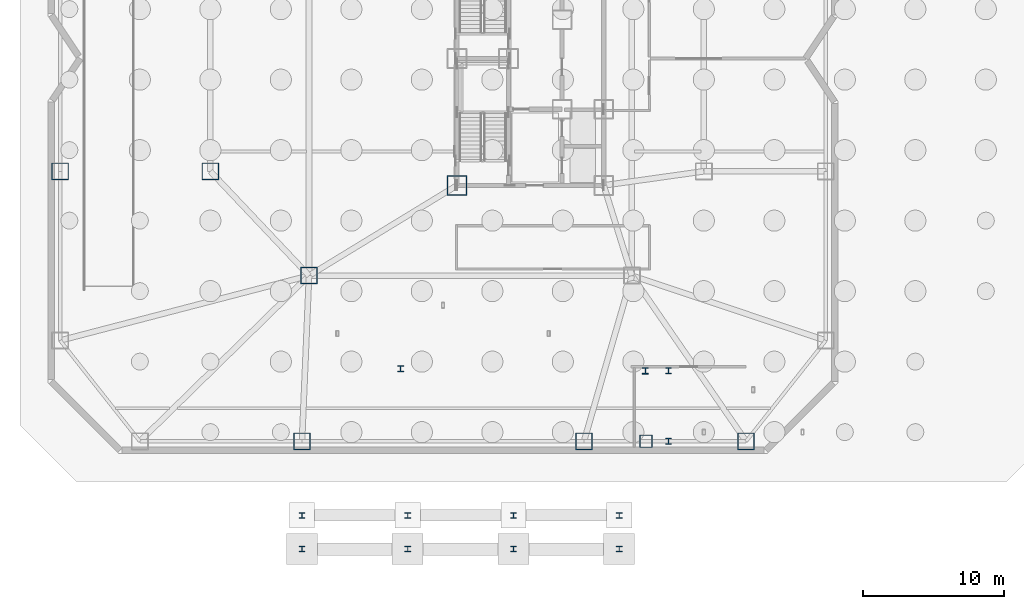
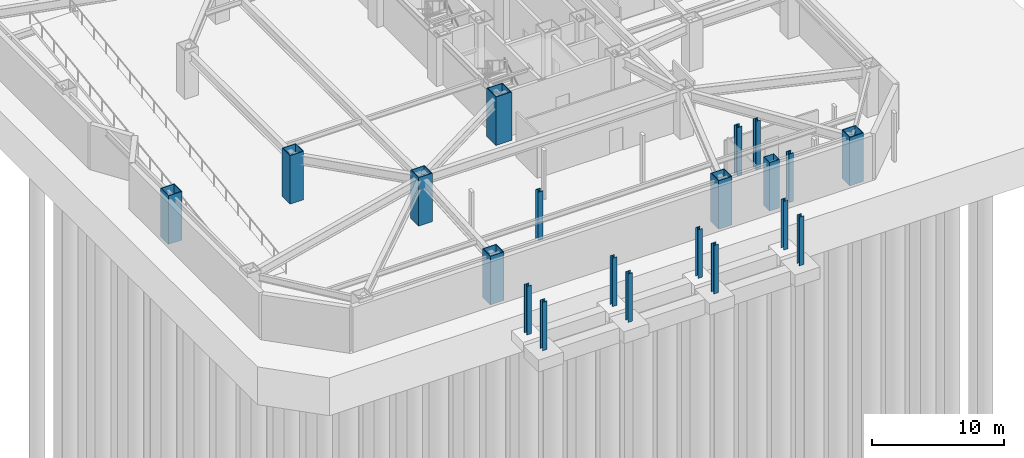
# One storey, part 2 of 15: 20 columns.
"""IFC4 building model written with IfcOpenShell, lengths in metres."""

from ifc_helpers import new_model, si_unit, direction, frame, origin, origin_2d, place, context, subcontext, project, spatial, hollow_rectangle, i_section, extrude, material, material_profile, profile_set, type_object, element, save


model = new_model("IFC4")

# Units and contexts
model_context = context("Model", 3, precision=1e-05, world=origin(), true_north=direction((0.0, 1.0)))
body_context = subcontext(model_context, "Body", "Model", "MODEL_VIEW")
ifc_project = project(units=[si_unit("LENGTHUNIT", "METRE"), si_unit("AREAUNIT", "SQUARE_METRE"), si_unit("VOLUMEUNIT", "CUBIC_METRE"), si_unit("PLANEANGLEUNIT", "RADIAN"), si_unit("MASSUNIT", "GRAM", prefix="KILO")], contexts=[model_context])

# Site, building, storey
site_placement = place(None, origin())
site = spatial("IfcSite", under=ifc_project, at=site_placement, CompositionType="ELEMENT")
building_placement = place(site_placement, origin())
building = spatial("IfcBuilding", under=site, at=building_placement, Name="Khamvora Tower", CompositionType="ELEMENT")
storey_placement = place(building_placement, frame((0.0, 0.0, -9.0)))
storey = spatial("IfcBuildingStorey", under=building, at=storey_placement, Name="B2", CompositionType="ELEMENT", Elevation=-9.0)

# Columns
ifc_material_1 = material(Name="Steel S460", Category="steel")
ifc_material_profile_1 = material_profile(ifc_material_1, hollow_rectangle(XDim=1.199951171875, YDim=1.199951171875, WallThickness=0.06005859375, at=origin_2d()), Name="BOX1200x1200x60")
ifc_profile_set_1 = profile_set([ifc_material_profile_1], Name="Steel S460")
column_type_1 = type_object("IfcColumnType", Name="COL-BOX1200", PredefinedType="COLUMN", material=ifc_profile_set_1)
for number, where, z_axis, x_axis, name in (
    (1, (18.0, 0.85009765625, 0.0), (0.0, 0.0, 1.0), (1.0, 0.0, 0.0), "B2 structural frame column P02"),
    (2, (38.0, 0.85009765625, 0.0), (0.0, 0.0, 1.0), (1.0, 0.0, 0.0), "B2 structural frame column P03"),
    (3, (49.5, 0.85009765625, 0.0), (0.0, 0.0, 1.0), (1.0, 0.0, 0.0), "B2 structural frame column P04"),
    (4, (0.85009765625, 20.0, 0.0), (0.0, 0.0, 1.0), (1.0, 0.0, 0.0), "B2 structural frame column P10"),
    (5, (18.5, 12.60009765625, 0.0), (0.0, 0.0, 1.0), (1.0, 0.0, 0.0), "B2 structural frame column P17"),
    (6, (11.5, 20.0, 0.0), (0.0, 0.0, 1.0), (1.0, 0.0, 0.0), "B2 structural frame column P21"),
):
    element("IfcColumn", number, at=place(storey_placement, frame(where, z_axis=z_axis, x_axis=x_axis)), inside=storey, type_object=column_type_1, Name=name, PredefinedType="COLUMN", context=body_context, shape_type="SweptSolid", body=[
        extrude(hollow_rectangle(XDim=1.199951171875, YDim=1.199951171875, WallThickness=0.06005859375, at=origin_2d()), origin(), (0.0, 0.0, 1.0), 4.5),
    ])
ifc_material_profile_2 = material_profile(ifc_material_1, hollow_rectangle(XDim=1.39990234375, YDim=1.39990234375, WallThickness=0.070068359375, at=origin_2d()), Name="BOX1400x1400x70")
ifc_profile_set_2 = profile_set([ifc_material_profile_2], Name="Steel S460")
column_type_2 = type_object("IfcColumnType", Name="COL-BOX1400", PredefinedType="COLUMN", material=ifc_profile_set_2)
column_1_placement = place(storey_placement, frame((29.0, 19.0, 0.0), z_axis=(0.0, 0.0, 1.0), x_axis=(1.0, 0.0, 0.0)))
element("IfcColumn", 7, at=column_1_placement, inside=storey, type_object=column_type_2, Name="B2 plumb core spine column SC1", PredefinedType="COLUMN", context=body_context, shape_type="SweptSolid", body=[
    extrude(hollow_rectangle(XDim=1.39990234375, YDim=1.39990234375, WallThickness=0.070068359375, at=origin_2d()), origin(), (0.0, 0.0, 1.0), 4.5),
])
ifc_material_2 = material(Name="Steel S355", Category="steel")
ifc_material_profile_3 = material_profile(ifc_material_2, hollow_rectangle(XDim=0.89990234375, YDim=0.89990234375, WallThickness=0.044921875, at=origin_2d()), Name="BOX900x900x45")
ifc_profile_set_3 = profile_set([ifc_material_profile_3], Name="Steel S355")
column_type_3 = type_object("IfcColumnType", Name="COL-BOX900", PredefinedType="COLUMN", material=ifc_profile_set_3)
column_2_placement = place(storey_placement, frame((42.39990234375, 0.85009765625, 0.0), z_axis=(0.0, 0.0, 1.0), x_axis=(1.0, 0.0, 0.0)))
element("IfcColumn", 8, at=column_2_placement, inside=storey, type_object=column_type_3, Name="B2 vehicle ramp portal support column", PredefinedType="COLUMN", context=body_context, shape_type="SweptSolid", body=[
    extrude(hollow_rectangle(XDim=0.89990234375, YDim=0.89990234375, WallThickness=0.044921875, at=origin_2d()), origin(), (0.0, 0.0, 1.0), 4.5),
])
ifc_material_profile_4 = material_profile(ifc_material_2, i_section(OverallWidth=0.39794921875, OverallDepth=0.386962890625, WebThickness=0.01806640625, FlangeThickness=0.029052734375, FilletRadius=0.014892578125, at=origin_2d()), Name="HD400x262")
ifc_profile_set_4 = profile_set([ifc_material_profile_4], Name="Steel S355")
column_type_4 = type_object("IfcColumnType", Name="COL-HD262", PredefinedType="PILASTER", material=ifc_profile_set_4)
for number, where, z_axis, x_axis, name in (
    (9, (18.0, -6.800048828125, 0.0), (0.0, 0.0, 1.0), (1.0, 0.0, 0.0), "B2 forecourt canopy column S11"),
    (10, (25.5, -6.800048828125, 0.0), (0.0, 0.0, 1.0), (1.0, 0.0, 0.0), "B2 forecourt canopy column S12"),
    (11, (33.0, -6.800048828125, 0.0), (0.0, 0.0, 1.0), (1.0, 0.0, 0.0), "B2 forecourt canopy column S13"),
    (12, (40.5, -6.800048828125, 0.0), (0.0, 0.0, 1.0), (1.0, 0.0, 0.0), "B2 forecourt canopy column S14"),
    (13, (18.0, -4.39990234375, 0.0), (0.0, 0.0, 1.0), (1.0, 0.0, 0.0), "B2 forecourt canopy column S21"),
    (14, (25.5, -4.39990234375, 0.0), (0.0, 0.0, 1.0), (1.0, 0.0, 0.0), "B2 forecourt canopy column S22"),
    (15, (33.0, -4.39990234375, 0.0), (0.0, 0.0, 1.0), (1.0, 0.0, 0.0), "B2 forecourt canopy column S23"),
    (16, (40.5, -4.39990234375, 0.0), (0.0, 0.0, 1.0), (1.0, 0.0, 0.0), "B2 forecourt canopy column S24"),
):
    element("IfcColumn", number, at=place(storey_placement, frame(where, z_axis=z_axis, x_axis=x_axis)), inside=storey, type_object=column_type_4, Name=name, PredefinedType="PILASTER", context=body_context, shape_type="SweptSolid", body=[
        extrude(i_section(OverallWidth=0.39794921875, OverallDepth=0.386962890625, WebThickness=0.01806640625, FlangeThickness=0.029052734375, FilletRadius=0.014892578125, at=origin_2d()), origin(), (0.0, 0.0, 1.0), 4.5),
    ])
ifc_material_profile_5 = material_profile(ifc_material_2, i_section(OverallWidth=0.406005859375, OverallDepth=0.416015625, WebThickness=0.02587890625, FlangeThickness=0.0419921875, FilletRadius=0.014892578125, at=origin_2d()), Name="HD400x382")
ifc_profile_set_5 = profile_set([ifc_material_profile_5], Name="Steel S355")
column_type_5 = type_object("IfcColumnType", Name="COL-HD382", PredefinedType="COLUMN", material=ifc_profile_set_5)
column_3_placement = place(storey_placement, frame((44.0, 5.85009765625, 0.0), z_axis=(0.0, 0.0, 1.0), x_axis=(1.0, 0.0, 0.0)))
element("IfcColumn", 17, at=column_3_placement, inside=storey, type_object=column_type_5, Name="B2 vehicle ramp east north apron column", PredefinedType="COLUMN", context=body_context, shape_type="SweptSolid", body=[
    extrude(i_section(OverallWidth=0.406005859375, OverallDepth=0.416015625, WebThickness=0.02587890625, FlangeThickness=0.0419921875, FilletRadius=0.014892578125, at=origin_2d()), origin(), (0.0, 0.0, 1.0), 4.5),
])
ifc_material_profile_6 = material_profile(ifc_material_2, i_section(OverallWidth=0.412109375, OverallDepth=0.43505859375, WebThickness=0.031005859375, FlangeThickness=0.051025390625, FilletRadius=0.014892578125, at=origin_2d()), Name="HD400x463")
ifc_profile_set_6 = profile_set([ifc_material_profile_6], Name="Steel S355")
column_type_6 = type_object("IfcColumnType", Name="COL-HD463", PredefinedType="COLUMN", material=ifc_profile_set_6)
for number, where, z_axis, x_axis, name in (
    (18, (25.0, 6.0, 0.0), (0.0, 0.0, 1.0), (1.0, 0.0, 0.0), "B2 plaza entry apron support column"),
    (19, (44.0, 0.85009765625, 0.0), (0.0, 0.0, 1.0), (1.0, 0.0, 0.0), "B2 vehicle ramp east south apron column"),
):
    element("IfcColumn", number, at=place(storey_placement, frame(where, z_axis=z_axis, x_axis=x_axis)), inside=storey, type_object=column_type_6, Name=name, PredefinedType="COLUMN", context=body_context, shape_type="SweptSolid", body=[
        extrude(i_section(OverallWidth=0.412109375, OverallDepth=0.43505859375, WebThickness=0.031005859375, FlangeThickness=0.051025390625, FilletRadius=0.014892578125, at=origin_2d()), origin(), (0.0, 0.0, 1.0), 4.5),
    ])
ifc_material_profile_7 = material_profile(ifc_material_1, i_section(OverallWidth=0.41796875, OverallDepth=0.455078125, WebThickness=0.037109375, FlangeThickness=0.06005859375, FilletRadius=0.014892578125, at=origin_2d()), Name="HD400x551")
ifc_profile_set_7 = profile_set([ifc_material_profile_7], Name="Steel S460")
column_type_7 = type_object("IfcColumnType", Name="COL-HD551", PredefinedType="COLUMN", material=ifc_profile_set_7)
column_4_placement = place(storey_placement, frame((42.35009765625, 5.85009765625, 0.0), z_axis=(0.0, 0.0, 1.0), x_axis=(1.0, 0.0, 0.0)))
element("IfcColumn", 20, at=column_4_placement, inside=storey, type_object=column_type_7, Name="B2 vehicle ramp north portal support column", PredefinedType="COLUMN", context=body_context, shape_type="SweptSolid", body=[
    extrude(i_section(OverallWidth=0.41796875, OverallDepth=0.455078125, WebThickness=0.037109375, FlangeThickness=0.06005859375, FilletRadius=0.014892578125, at=origin_2d()), origin(), (0.0, 0.0, 1.0), 4.5),
])

save(model, "model.ifc")
